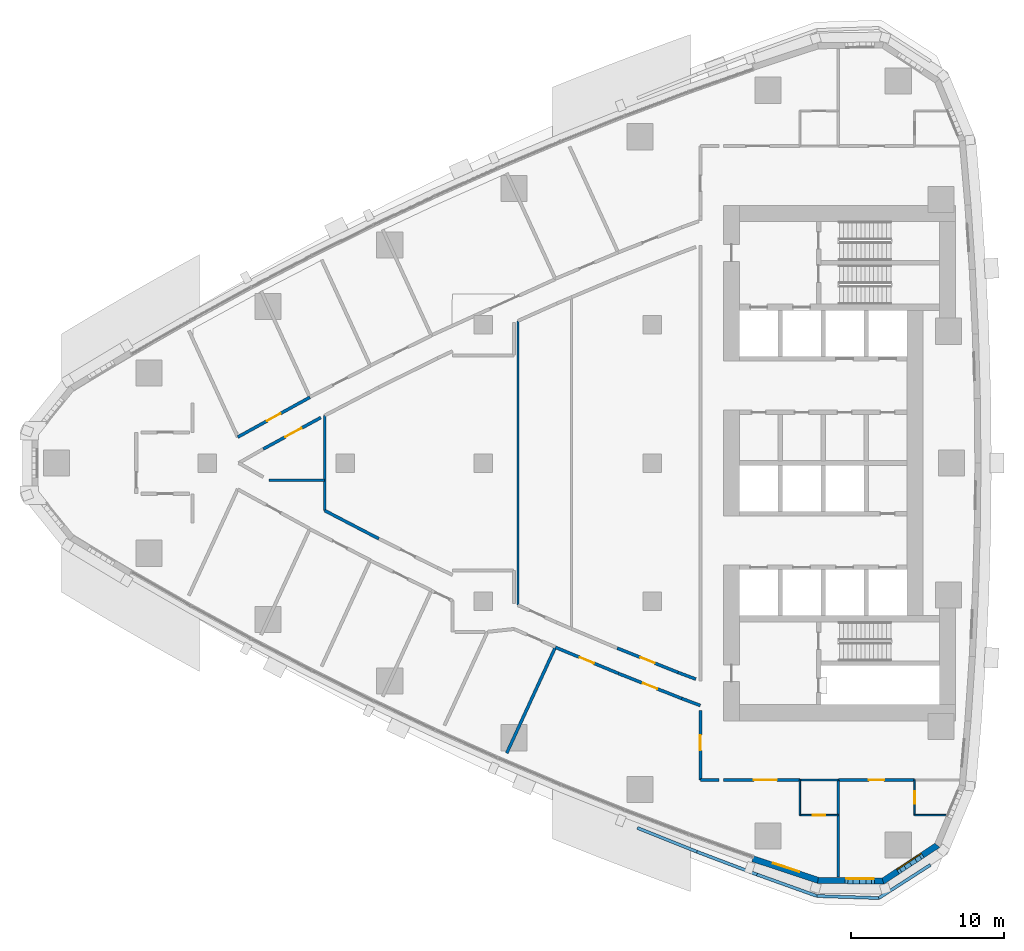
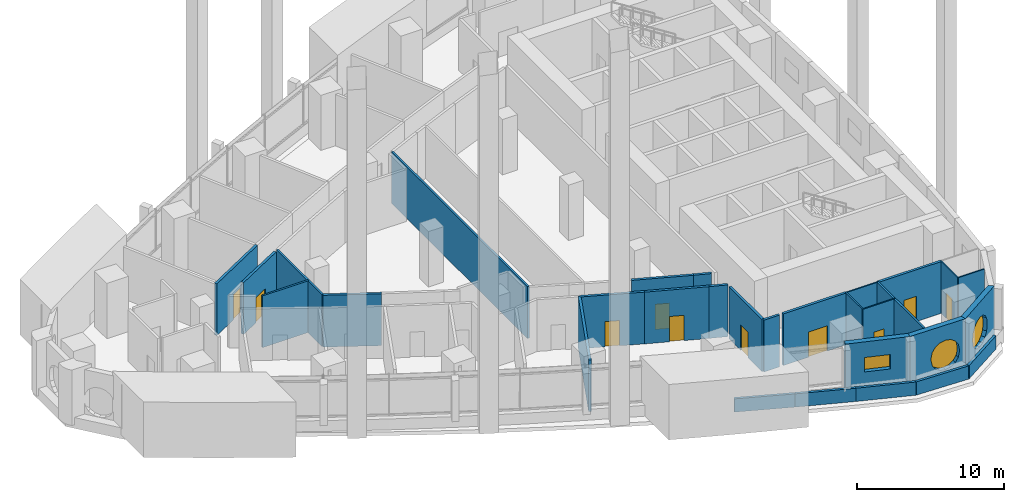
# One storey, part 8 of 17: 30 walls, 10 doors, 3 windows, 13 openings.
"""IFC4 building model written with IfcOpenShell, lengths in metres."""

from ifc_helpers import new_model, si_unit, direction, frame, frame_2d, origin, place, context, subcontext, project, spatial, polyline, rectangle, outline, extrude, material, layer, layer_set, type_object, element, fill, save


model = new_model("IFC4")

# Units and contexts
model_context = context("Model", 3, precision=1e-05, world=origin(), true_north=direction((0.0, 1.0)))
body_context = subcontext(model_context, "Body", "Model", "MODEL_VIEW")
ifc_project = project(units=[si_unit("LENGTHUNIT", "METRE"), si_unit("AREAUNIT", "SQUARE_METRE"), si_unit("VOLUMEUNIT", "CUBIC_METRE"), si_unit("PLANEANGLEUNIT", "RADIAN"), si_unit("MASSUNIT", "GRAM", prefix="KILO")], contexts=[model_context])

# Site, building, storey
site_placement = place(None, origin())
site = spatial("IfcSite", under=ifc_project, at=site_placement, CompositionType="ELEMENT")
building_placement = place(site_placement, origin())
building = spatial("IfcBuilding", under=site, at=building_placement, Name="Ostrand Prow Hotel Tower", CompositionType="ELEMENT")
storey_placement = place(building_placement, frame((0.0, 0.0, 80.300048828125)))
storey = spatial("IfcBuildingStorey", under=building, at=storey_placement, Name="L18", CompositionType="ELEMENT", Elevation=80.300048828125)

# Wall
ifc_material_1 = material(Name="Plasterboard partition")
ifc_layer_1 = layer(ifc_material_1, 0.10009765625)
ifc_layer_set_1 = layer_set([ifc_layer_1], Name="Plasterboard partition")
wall_type_1 = type_object("IfcWallType", Name="Partition 100 bathroom wall", PredefinedType="PARTITIONING", material=ifc_layer_set_1)
wall_1_placement = place(storey_placement, frame((54.630615234375, -22.949951171875, 0.0), z_axis=(0.0, 0.0, 1.0), x_axis=(0.0, 1.0, 0.0)))
element("IfcWall", 1, at=wall_1_placement, inside=storey, type_object=wall_type_1, Name="BATHROOM WALL", PredefinedType="PARTITIONING", context=body_context, shape_type="SweptSolid", body=[
    extrude(rectangle(XDim=2.300048828125, YDim=0.10009765625, at=frame_2d((1.14990234375, 0.0))), origin(), (0.0, 0.0, 1.0), 4.300048828125),
])

# Wall, opening, door
wall_2_placement = place(storey_placement, frame((57.130615234375, -22.949951171875, 0.0), z_axis=(0.0, 0.0, 1.0), x_axis=(-1.0, 0.0, 0.0)))
wall_2 = element("IfcWall", 2, at=wall_2_placement, inside=storey, type_object=wall_type_1, Name="BATHROOM WALL", PredefinedType="PARTITIONING", context=body_context, shape_type="SweptSolid", body=[
    extrude(rectangle(XDim=2.5, YDim=0.10009765625, at=frame_2d((1.25, 0.0))), origin(), (0.0, 0.0, 1.0), 4.300048828125),
])
opening_1_placement = place(wall_2_placement, frame((0.85009765625, 0.0, 0.0)))
opening_1 = element("IfcOpeningElement", 3, at=opening_1_placement, cuts=wall_2, Name="Opening D2", PredefinedType="OPENING", context=body_context, shape_type="SweptSolid", body=[
    extrude(rectangle(XDim=0.800048828125, YDim=2.10009765625, at=frame_2d((0.39990234375, 1.050048828125))), frame((0.0, 0.06005859375, 0.0), z_axis=(0.0, -1.0, 0.0), x_axis=(1.0, 0.0, 0.0)), (0.0, 0.0, 1.0), 0.1201171875),
])
ifc_material_2 = material(Name="Timber door leaf", Category="wood")
door_type_1 = type_object("IfcDoorType", Name="Bathroom door 800", OperationType="SINGLE_SWING_LEFT", PredefinedType="DOOR", material=ifc_material_2)
door_1_placement = place(opening_1_placement, origin())
door_1 = element("IfcDoor", 4, at=door_1_placement, inside=storey, type_object=door_type_1, Name="DOOR", OperationType="SINGLE_SWING_LEFT", OverallHeight=2.10009765625, OverallWidth=0.800048828125, PredefinedType="DOOR", context=body_context, shape_type="SweptSolid", body=[
    extrude(rectangle(XDim=0.800048828125, YDim=2.10009765625, at=frame_2d((0.39990234375, 1.050048828125))), frame((0.0, 0.02490234375, 0.0), z_axis=(0.0, -1.0, 0.0), x_axis=(1.0, 0.0, 0.0)), (0.0, 0.0, 1.0), 0.050048828125),
])
fill(opening_1, door_1)

# Wall
wall_3_placement = place(storey_placement, frame((64.160400390625, -22.949951171875, 0.0), z_axis=(0.0, 0.0, 1.0), x_axis=(-1.0, 0.0, 0.0)))
element("IfcWall", 5, at=wall_3_placement, inside=storey, type_object=wall_type_1, Name="BATHROOM WALL", PredefinedType="PARTITIONING", context=body_context, shape_type="SweptSolid", body=[
    extrude(rectangle(XDim=2.04931640625, YDim=0.10009765625, at=frame_2d((1.024658203125, 0.0))), origin(), (0.0, 0.0, 1.0), 4.300048828125),
])

# Wall, opening, door
wall_4_placement = place(storey_placement, frame((62.111083984375, -22.949951171875, 0.0), z_axis=(0.0, 0.0, 1.0), x_axis=(0.0, 1.0, 0.0)))
wall_4 = element("IfcWall", 6, at=wall_4_placement, inside=storey, type_object=wall_type_1, Name="BATHROOM WALL", PredefinedType="PARTITIONING", context=body_context, shape_type="SweptSolid", body=[
    extrude(rectangle(XDim=2.300048828125, YDim=0.10009765625, at=frame_2d((1.14990234375, 0.0))), origin(), (0.0, 0.0, 1.0), 4.300048828125),
])
opening_2_placement = place(wall_4_placement, frame((0.75, 0.0, 0.0)))
opening_2 = element("IfcOpeningElement", 7, at=opening_2_placement, cuts=wall_4, Name="Opening D2", PredefinedType="OPENING", context=body_context, shape_type="SweptSolid", body=[
    extrude(rectangle(XDim=0.800048828125, YDim=2.10009765625, at=frame_2d((0.39990234375, 1.050048828125))), frame((0.0, 0.06005859375, 0.0), z_axis=(0.0, -1.0, 0.0), x_axis=(1.0, 0.0, 0.0)), (0.0, 0.0, 1.0), 0.1201171875),
])
door_2_placement = place(opening_2_placement, origin())
door_2 = element("IfcDoor", 8, at=door_2_placement, inside=storey, type_object=door_type_1, Name="DOOR", OperationType="SINGLE_SWING_LEFT", OverallHeight=2.10009765625, OverallWidth=0.800048828125, PredefinedType="DOOR", context=body_context, shape_type="SweptSolid", body=[
    extrude(rectangle(XDim=0.800048828125, YDim=2.10009765625, at=frame_2d((0.39990234375, 1.050048828125))), frame((0.0, 0.02490234375, 0.0), z_axis=(0.0, -1.0, 0.0), x_axis=(1.0, 0.0, 0.0)), (0.0, 0.0, 1.0), 0.050048828125),
])
fill(opening_2, door_2)

# Walls
wall_5_placement = place(storey_placement, frame((54.630615234375, -20.655029296875, 0.0), z_axis=(0.0, 0.0, 1.0), x_axis=(1.0, 0.0, 0.0)))
element("IfcWall", 9, at=wall_5_placement, inside=storey, type_object=wall_type_1, Name="BATHROOM WALL", PredefinedType="PARTITIONING", context=body_context, shape_type="SweptSolid", body=[
    extrude(rectangle(XDim=2.5, YDim=0.10009765625, at=frame_2d((1.25, 0.0))), origin(), (0.0, 0.0, 1.0), 4.300048828125),
])
ifc_material_3 = material(Name="Plasterboard partition")
ifc_layer_2 = layer(ifc_material_3, 0.14990234375)
ifc_layer_set_2 = layer_set([ifc_layer_2], Name="Plasterboard partition")
wall_type_2 = type_object("IfcWallType", Name="Partition 150 room partition", PredefinedType="PARTITIONING", material=ifc_layer_set_2)
wall_6_placement = place(storey_placement, frame((57.130615234375, -26.97900390625, 0.0), z_axis=(0.0, 0.0, 1.0), x_axis=(0.0, 1.0, 0.0)))
element("IfcWall", 10, at=wall_6_placement, inside=storey, type_object=wall_type_2, Name="ROOM PARTITION", PredefinedType="PARTITIONING", context=body_context, shape_type="SweptSolid", body=[
    extrude(rectangle(XDim=6.3291015625, YDim=0.14990234375, at=frame_2d((3.16455078125, 0.0))), origin(), (0.0, 0.0, 1.0), 4.300048828125),
])
wall_7_placement = place(storey_placement, frame((20.0263671875, -1.1142578125, 0.0), z_axis=(0.0, 0.0, 1.0), x_axis=(1.0, 0.0, 0.0)))
element("IfcWall", 11, at=wall_7_placement, inside=storey, type_object=wall_type_2, Name="ROOM PARTITION", PredefinedType="PARTITIONING", context=body_context, shape_type="SweptSolid", body=[
    extrude(rectangle(XDim=3.6357421875, YDim=0.14990234375, at=frame_2d((1.81787109375, 0.0))), origin(), (0.0, 0.0, 1.0), 4.300048828125),
])
wall_8_placement = place(storey_placement, frame((23.662109375, -3.094970703125, 0.0), z_axis=(0.0, 0.0, 1.0), x_axis=(0.0, 1.0, 0.0)))
element("IfcWall", 12, at=wall_8_placement, inside=storey, type_object=wall_type_2, Name="ROOM PARTITION", PredefinedType="PARTITIONING", context=body_context, shape_type="SweptSolid", body=[
    extrude(rectangle(XDim=6.18994140625, YDim=0.14990234375, at=frame_2d((3.094970703125, 0.0))), origin(), (0.0, 0.0, 1.0), 4.300048828125),
])
wall_9_placement = place(storey_placement, frame((36.255859375, -9.26416015625, 0.0), z_axis=(0.0, 0.0, 1.0), x_axis=(0.0, 1.0, 0.0)))
element("IfcWall", 13, at=wall_9_placement, inside=storey, type_object=wall_type_2, Name="ROOM PARTITION", PredefinedType="PARTITIONING", context=body_context, shape_type="SweptSolid", body=[
    extrude(rectangle(XDim=18.5283203125, YDim=0.14990234375, at=frame_2d((9.26416015625, 0.0))), origin(), (0.0, 0.0, 1.0), 4.300048828125),
])

# Wall, opening, door
ifc_material_4 = material(Name="Plasterboard partition")
ifc_layer_3 = layer(ifc_material_4, 0.199951171875)
ifc_layer_set_3 = layer_set([ifc_layer_3], Name="Plasterboard partition")
wall_type_3 = type_object("IfcWallType", Name="Partition 200 corridor wall", PredefinedType="PARTITIONING", material=ifc_layer_set_3)
wall_10_placement = place(storey_placement, frame((18.0, 1.691650390625, 0.0), z_axis=(0.0, 0.0, 1.0), x_axis=(0.875548487611, 0.483130257634, 0.0)))
wall_10 = element("IfcWall", 14, at=wall_10_placement, inside=storey, type_object=wall_type_3, Name="CORRIDOR WALL", PredefinedType="PARTITIONING", context=body_context, shape_type="SweptSolid", body=[
    extrude(rectangle(XDim=5.36669921875, YDim=0.199951171875, at=frame_2d((2.683349609375, 0.0))), origin(), (0.0, 0.0, 1.0), 4.300048828125),
])
opening_3_placement = place(wall_10_placement, frame((2.183349609375, 0.0, 0.0)))
opening_3 = element("IfcOpeningElement", 15, at=opening_3_placement, cuts=wall_10, Name="Opening D1R", PredefinedType="OPENING", context=body_context, shape_type="SweptSolid", body=[
    extrude(rectangle(XDim=1.0, YDim=2.10009765625, at=frame_2d((0.5, 1.050048828125))), frame((0.0, 0.10986328125, 0.0), z_axis=(0.0, -1.0, 0.0), x_axis=(1.0, 0.0, 0.0)), (0.0, 0.0, 1.0), 0.219970703125),
])
ifc_material_5 = material(Name="Timber door leaf", Category="wood")
door_type_2 = type_object("IfcDoorType", Name="Guest room door 1000 right", OperationType="SINGLE_SWING_RIGHT", PredefinedType="DOOR", material=ifc_material_5)
door_3_placement = place(opening_3_placement, origin())
door_3 = element("IfcDoor", 16, at=door_3_placement, inside=storey, type_object=door_type_2, Name="DOOR", OperationType="SINGLE_SWING_RIGHT", OverallHeight=2.10009765625, OverallWidth=1.0, PredefinedType="DOOR", context=body_context, shape_type="SweptSolid", body=[
    extrude(rectangle(XDim=1.0, YDim=2.10009765625, at=frame_2d((0.5, 1.050048828125))), frame((0.0, 0.02490234375, 0.0), z_axis=(0.0, -1.0, 0.0), x_axis=(1.0, 0.0, 0.0)), (0.0, 0.0, 1.0), 0.050048828125),
])
fill(opening_3, door_3)

wall_11_placement = place(storey_placement, frame((38.696044921875, -12.0068359375, 0.0), z_axis=(0.0, 0.0, 1.0), x_axis=(0.923970612896, -0.382463470811, 0.0)))
wall_11 = element("IfcWall", 17, at=wall_11_placement, inside=storey, type_object=wall_type_3, Name="CORRIDOR WALL", PredefinedType="PARTITIONING", context=body_context, shape_type="SweptSolid", body=[
    extrude(rectangle(XDim=4.44091796875, YDim=0.199951171875, at=frame_2d((2.220458984375, 0.0))), origin(), (0.0, 0.0, 1.0), 4.300048828125),
])
opening_4_placement = place(wall_11_placement, frame((1.720458984375, 0.0, 0.0)))
opening_4 = element("IfcOpeningElement", 18, at=opening_4_placement, cuts=wall_11, Name="Opening D1", PredefinedType="OPENING", context=body_context, shape_type="SweptSolid", body=[
    extrude(rectangle(XDim=1.0, YDim=2.10009765625, at=frame_2d((0.5, 1.050048828125))), frame((0.0, 0.10986328125, 0.0), z_axis=(0.0, -1.0, 0.0), x_axis=(1.0, 0.0, 0.0)), (0.0, 0.0, 1.0), 0.219970703125),
])
ifc_material_6 = material(Name="Timber door leaf", Category="wood")
door_type_3 = type_object("IfcDoorType", Name="Guest room door 1000", OperationType="SINGLE_SWING_LEFT", PredefinedType="DOOR", material=ifc_material_6)
door_4_placement = place(opening_4_placement, origin())
door_4 = element("IfcDoor", 19, at=door_4_placement, inside=storey, type_object=door_type_3, Name="DOOR", OperationType="SINGLE_SWING_LEFT", OverallHeight=2.10009765625, OverallWidth=1.0, PredefinedType="DOOR", context=body_context, shape_type="SweptSolid", body=[
    extrude(rectangle(XDim=1.0, YDim=2.10009765625, at=frame_2d((0.5, 1.050048828125))), frame((0.0, 0.02490234375, 0.0), z_axis=(0.0, -1.0, 0.0), x_axis=(1.0, 0.0, 0.0)), (0.0, 0.0, 1.0), 0.050048828125),
])
fill(opening_4, door_4)

wall_12_placement = place(storey_placement, frame((19.6572265625, 0.912353515625, 0.0), z_axis=(0.0, 0.0, 1.0), x_axis=(0.877465075585, 0.479640533242, 0.0)))
wall_12 = element("IfcWall", 20, at=wall_12_placement, inside=storey, type_object=wall_type_3, Name="CORRIDOR WALL", PredefinedType="PARTITIONING", context=body_context, shape_type="SweptSolid", body=[
    extrude(rectangle(XDim=4.273193359375, YDim=0.199951171875, at=frame_2d((2.13671875, 0.0))), origin(), (0.0, 0.0, 1.0), 4.300048828125),
])
opening_5_placement = place(wall_12_placement, frame((1.636474609375, 0.0, 0.0)))
opening_5 = element("IfcOpeningElement", 21, at=opening_5_placement, cuts=wall_12, Name="Opening D12", PredefinedType="OPENING", context=body_context, shape_type="SweptSolid", body=[
    extrude(rectangle(XDim=1.199951171875, YDim=2.10009765625, at=frame_2d((0.60009765625, 1.050048828125))), frame((0.0, 0.10986328125, 0.0), z_axis=(0.0, -1.0, 0.0), x_axis=(1.0, 0.0, 0.0)), (0.0, 0.0, 1.0), 0.219970703125),
])
ifc_material_7 = material(Name="Steel service door", Category="steel")
door_type_4 = type_object("IfcDoorType", Name="Service door 1200", OperationType="SINGLE_SWING_RIGHT", PredefinedType="DOOR", material=ifc_material_7)
door_5_placement = place(opening_5_placement, origin())
door_5 = element("IfcDoor", 22, at=door_5_placement, inside=storey, type_object=door_type_4, Name="DOOR", OperationType="SINGLE_SWING_RIGHT", OverallHeight=2.10009765625, OverallWidth=1.199951171875, PredefinedType="DOOR", context=body_context, shape_type="SweptSolid", body=[
    extrude(rectangle(XDim=1.199951171875, YDim=2.10009765625, at=frame_2d((0.60009765625, 1.050048828125))), frame((0.0, 0.02490234375, 0.0), z_axis=(0.0, -1.0, 0.0), x_axis=(1.0, 0.0, 0.0)), (0.0, 0.0, 1.0), 0.050048828125),
])
fill(opening_5, door_5)

# Wall
wall_13_placement = place(storey_placement, frame((27.1962890625, -4.935791015625, 0.0), z_axis=(0.0, 0.0, 1.0), x_axis=(-0.886903625221, 0.461954499459, 0.0)))
element("IfcWall", 23, at=wall_13_placement, inside=storey, type_object=wall_type_3, Name="CORRIDOR WALL", PredefinedType="PARTITIONING", context=body_context, shape_type="SweptSolid", body=[
    extrude(rectangle(XDim=3.98486328125, YDim=0.199951171875, at=frame_2d((1.992431640625, 0.0))), origin(), (0.0, 0.0, 1.0), 4.300048828125),
])

# Wall, opening, door
wall_14_placement = place(storey_placement, frame((46.69580078125, -13.646728515625, 0.0), z_axis=(0.0, 0.0, 1.0), x_axis=(-0.928638161177, 0.370986745864, 0.0)))
wall_14 = element("IfcWall", 24, at=wall_14_placement, inside=storey, type_object=wall_type_3, Name="CORRIDOR WALL", PredefinedType="PARTITIONING", context=body_context, shape_type="SweptSolid", body=[
    extrude(rectangle(XDim=4.27294921875, YDim=0.199951171875, at=frame_2d((2.136474609375, 0.0))), origin(), (0.0, 0.0, 1.0), 4.300048828125),
])
opening_6_placement = place(wall_14_placement, frame((1.636474609375, 0.0, 0.0)))
opening_6 = element("IfcOpeningElement", 25, at=opening_6_placement, cuts=wall_14, Name="Opening D1", PredefinedType="OPENING", context=body_context, shape_type="SweptSolid", body=[
    extrude(rectangle(XDim=1.0, YDim=2.10009765625, at=frame_2d((0.5, 1.050048828125))), frame((0.0, 0.10986328125, 0.0), z_axis=(0.0, -1.0, 0.0), x_axis=(1.0, 0.0, 0.0)), (0.0, 0.0, 1.0), 0.219970703125),
])
door_6_placement = place(opening_6_placement, origin())
door_6 = element("IfcDoor", 26, at=door_6_placement, inside=storey, type_object=door_type_3, Name="DOOR", OperationType="SINGLE_SWING_LEFT", OverallHeight=2.10009765625, OverallWidth=1.0, PredefinedType="DOOR", context=body_context, shape_type="SweptSolid", body=[
    extrude(rectangle(XDim=1.0, YDim=2.10009765625, at=frame_2d((0.5, 1.050048828125))), frame((0.0, 0.02490234375, 0.0), z_axis=(0.0, -1.0, 0.0), x_axis=(1.0, 0.0, 0.0)), (0.0, 0.0, 1.0), 0.050048828125),
])
fill(opening_6, door_6)

wall_15_placement = place(storey_placement, frame((49.64990234375, -20.655029296875, 0.0), z_axis=(0.0, 0.0, 1.0), x_axis=(1.0, 0.0, 0.0)))
wall_15 = element("IfcWall", 27, at=wall_15_placement, inside=storey, type_object=wall_type_3, Name="CORRIDOR WALL", PredefinedType="PARTITIONING", context=body_context, shape_type="SweptSolid", body=[
    extrude(rectangle(XDim=4.9755859375, YDim=0.199951171875, at=frame_2d((2.48779296875, 0.0))), origin(), (0.0, 0.0, 1.0), 4.300048828125),
])
opening_7_placement = place(wall_15_placement, frame((1.98779296875, 0.0, 0.0)))
opening_7 = element("IfcOpeningElement", 28, at=opening_7_placement, cuts=wall_15, Name="Opening D15", PredefinedType="OPENING", context=body_context, shape_type="SweptSolid", body=[
    extrude(rectangle(XDim=1.5, YDim=2.10009765625, at=frame_2d((0.75, 1.050048828125))), frame((0.0, 0.10986328125, 0.0), z_axis=(0.0, -1.0, 0.0), x_axis=(1.0, 0.0, 0.0)), (0.0, 0.0, 1.0), 0.219970703125),
])
ifc_material_8 = material(Name="Timber door leaf", Category="wood")
door_type_5 = type_object("IfcDoorType", Name="Double door 1500", OperationType="DOUBLE_DOOR_SINGLE_SWING", PredefinedType="DOOR", material=ifc_material_8)
door_7_placement = place(opening_7_placement, origin())
door_7 = element("IfcDoor", 29, at=door_7_placement, inside=storey, type_object=door_type_5, Name="DOOR", OperationType="DOUBLE_DOOR_SINGLE_SWING", OverallHeight=2.10009765625, OverallWidth=1.5, PredefinedType="DOOR", context=body_context, shape_type="SweptSolid", body=[
    extrude(rectangle(XDim=1.5, YDim=2.10009765625, at=frame_2d((0.75, 1.050048828125))), frame((0.0, 0.02490234375, 0.0), z_axis=(0.0, -1.0, 0.0), x_axis=(1.0, 0.0, 0.0)), (0.0, 0.0, 1.0), 0.050048828125),
])
fill(opening_7, door_7)

wall_16_placement = place(storey_placement, frame((57.135498046875, -20.655029296875, 0.0), z_axis=(0.0, 0.0, 1.0), x_axis=(1.0, 0.0, 0.0)))
wall_16 = element("IfcWall", 30, at=wall_16_placement, inside=storey, type_object=wall_type_3, Name="CORRIDOR WALL", PredefinedType="PARTITIONING", context=body_context, shape_type="SweptSolid", body=[
    extrude(rectangle(XDim=4.970703125, YDim=0.199951171875, at=frame_2d((2.4853515625, 0.0))), origin(), (0.0, 0.0, 1.0), 4.300048828125),
])
opening_8_placement = place(wall_16_placement, frame((1.9853515625, 0.0, 0.0)))
opening_8 = element("IfcOpeningElement", 31, at=opening_8_placement, cuts=wall_16, Name="Opening D1", PredefinedType="OPENING", context=body_context, shape_type="SweptSolid", body=[
    extrude(rectangle(XDim=1.0, YDim=2.10009765625, at=frame_2d((0.5, 1.050048828125))), frame((0.0, 0.10986328125, 0.0), z_axis=(0.0, -1.0, 0.0), x_axis=(1.0, 0.0, 0.0)), (0.0, 0.0, 1.0), 0.219970703125),
])
door_8_placement = place(opening_8_placement, origin())
door_8 = element("IfcDoor", 32, at=door_8_placement, inside=storey, type_object=door_type_3, Name="DOOR", OperationType="SINGLE_SWING_LEFT", OverallHeight=2.10009765625, OverallWidth=1.0, PredefinedType="DOOR", context=body_context, shape_type="SweptSolid", body=[
    extrude(rectangle(XDim=1.0, YDim=2.10009765625, at=frame_2d((0.5, 1.050048828125))), frame((0.0, 0.02490234375, 0.0), z_axis=(0.0, -1.0, 0.0), x_axis=(1.0, 0.0, 0.0)), (0.0, 0.0, 1.0), 0.050048828125),
])
fill(opening_8, door_8)

wall_17_placement = place(storey_placement, frame((42.802001953125, -13.7119140625, 0.0), z_axis=(0.0, 0.0, 1.0), x_axis=(0.930042476208, -0.367452027412, 0.0)))
wall_17 = element("IfcWall", 33, at=wall_17_placement, inside=storey, type_object=wall_type_3, Name="CORRIDOR WALL", PredefinedType="PARTITIONING", context=body_context, shape_type="SweptSolid", body=[
    extrude(rectangle(XDim=4.43896484375, YDim=0.199951171875, at=frame_2d((2.219482421875, 0.0))), origin(), (0.0, 0.0, 1.0), 4.300048828125),
])
opening_9_placement = place(wall_17_placement, frame((1.719482421875, 0.0, 0.0)))
opening_9 = element("IfcOpeningElement", 34, at=opening_9_placement, cuts=wall_17, Name="Opening D1", PredefinedType="OPENING", context=body_context, shape_type="SweptSolid", body=[
    extrude(rectangle(XDim=1.0, YDim=2.10009765625, at=frame_2d((0.5, 1.050048828125))), frame((0.0, 0.10986328125, 0.0), z_axis=(0.0, -1.0, 0.0), x_axis=(1.0, 0.0, 0.0)), (0.0, 0.0, 1.0), 0.219970703125),
])
door_9_placement = place(opening_9_placement, origin())
door_9 = element("IfcDoor", 35, at=door_9_placement, inside=storey, type_object=door_type_3, Name="DOOR", OperationType="SINGLE_SWING_LEFT", OverallHeight=2.10009765625, OverallWidth=1.0, PredefinedType="DOOR", context=body_context, shape_type="SweptSolid", body=[
    extrude(rectangle(XDim=1.0, YDim=2.10009765625, at=frame_2d((0.5, 1.050048828125))), frame((0.0, 0.02490234375, 0.0), z_axis=(0.0, -1.0, 0.0), x_axis=(1.0, 0.0, 0.0)), (0.0, 0.0, 1.0), 0.050048828125),
])
fill(opening_9, door_9)

# Wall
wall_18_placement = place(storey_placement, frame((47.85498046875, -14.0830078125, 0.0), z_axis=(0.0, 0.0, 1.0), x_axis=(-0.935907269358, 0.352246480696, 0.0)))
element("IfcWall", 36, at=wall_18_placement, inside=storey, type_object=wall_type_3, Name="CORRIDOR WALL", PredefinedType="PARTITIONING", context=body_context, shape_type="SweptSolid", body=[
    extrude(rectangle(XDim=1.238525390625, YDim=0.199951171875, at=frame_2d((0.619140625, 0.0))), origin(), (0.0, 0.0, 1.0), 4.300048828125),
])

# Wall, opening, door
wall_19_placement = place(storey_placement, frame((48.145263671875, -16.11572265625, 0.0), z_axis=(0.0, 0.0, 1.0), x_axis=(5.3821313e-05, -0.999999998552, 0.0)))
wall_19 = element("IfcWall", 37, at=wall_19_placement, inside=storey, type_object=wall_type_3, Name="CORRIDOR WALL", PredefinedType="PARTITIONING", context=body_context, shape_type="SweptSolid", body=[
    extrude(rectangle(XDim=4.5361328125, YDim=0.199951171875, at=frame_2d((2.26806640625, 0.0))), origin(), (0.0, 0.0, 1.0), 4.300048828125),
])
opening_10_placement = place(wall_19_placement, frame((1.611083984375, 0.0, 0.0)))
opening_10 = element("IfcOpeningElement", 38, at=opening_10_placement, cuts=wall_19, Name="Opening D1R", PredefinedType="OPENING", context=body_context, shape_type="SweptSolid", body=[
    extrude(rectangle(XDim=1.0, YDim=2.10009765625, at=frame_2d((0.5, 1.050048828125))), frame((0.0, 0.10986328125, 0.0), z_axis=(0.0, -1.0, 0.0), x_axis=(1.0, 0.0, 0.0)), (0.0, 0.0, 1.0), 0.219970703125),
])
door_10_placement = place(opening_10_placement, origin())
door_10 = element("IfcDoor", 39, at=door_10_placement, inside=storey, type_object=door_type_2, Name="DOOR", OperationType="SINGLE_SWING_RIGHT", OverallHeight=2.10009765625, OverallWidth=1.0, PredefinedType="DOOR", context=body_context, shape_type="SweptSolid", body=[
    extrude(rectangle(XDim=1.0, YDim=2.10009765625, at=frame_2d((0.5, 1.050048828125))), frame((0.0, 0.02490234375, 0.0), z_axis=(0.0, -1.0, 0.0), x_axis=(1.0, 0.0, 0.0)), (0.0, 0.0, 1.0), 0.050048828125),
])
fill(opening_10, door_10)

# Walls
wall_20_placement = place(storey_placement, frame((46.930419921875, -15.343017578125, 0.0), z_axis=(0.0, 0.0, 1.0), x_axis=(0.935833600022, -0.352442155635, 0.0)))
element("IfcWall", 40, at=wall_20_placement, inside=storey, type_object=wall_type_3, Name="CORRIDOR WALL", PredefinedType="PARTITIONING", context=body_context, shape_type="SweptSolid", body=[
    extrude(rectangle(XDim=1.298095703125, YDim=0.199951171875, at=frame_2d((0.64892578125, 0.0))), origin(), (0.0, 0.0, 1.0), 4.300048828125),
])
wall_21_placement = place(storey_placement, frame((48.1455078125, -20.65185546875, 0.0), z_axis=(0.0, 0.0, 1.0), x_axis=(0.999996595549, -0.002609384934, 0.0)))
element("IfcWall", 41, at=wall_21_placement, inside=storey, type_object=wall_type_3, Name="CORRIDOR WALL", PredefinedType="PARTITIONING", context=body_context, shape_type="SweptSolid", body=[
    extrude(rectangle(XDim=1.21630859375, YDim=0.199951171875, at=frame_2d((0.608154296875, 0.0))), origin(), (0.0, 0.0, 1.0), 4.300048828125),
])
ifc_material_9 = material(Name="Plasterboard partition")
ifc_layer_4 = layer(ifc_material_9, 0.199951171875)
ifc_layer_set_4 = layer_set([ifc_layer_4], Name="Plasterboard partition")
wall_type_4 = type_object("IfcWallType", Name="Partition 200 key partition", PredefinedType="PARTITIONING", material=ifc_layer_set_4)
wall_22_placement = place(storey_placement, frame((35.530517578125, -18.89794921875, 0.0), z_axis=(0.0, 0.0, 1.0), x_axis=(0.417416334044, 0.908715359215, 0.0)))
element("IfcWall", 42, at=wall_22_placement, inside=storey, type_object=wall_type_4, Name="KEY PARTITION", PredefinedType="PARTITIONING", context=body_context, shape_type="SweptSolid", body=[
    extrude(rectangle(XDim=7.603515625, YDim=0.199951171875, at=frame_2d((3.8017578125, 0.0))), origin(), (0.0, 0.0, 1.0), 4.300048828125),
])
ifc_material_10 = material(Name="Precast concrete C40/50", Category="concrete")
ifc_layer_5 = layer(ifc_material_10, 0.199951171875)
ifc_layer_set_5 = layer_set([ifc_layer_5], Name="Precast concrete C40/50")
wall_type_5 = type_object("IfcWallType", Name="Roof parapet 200 mm precast concrete", PredefinedType="PARAPET", material=ifc_layer_set_5)
for number, where, z_axis, x_axis, name in (
    (43, (44.038330078125, -23.775390625, 0.0), (0.0, 0.0, 1.0), (0.928295561605, -0.371843179719, 0.0), "Roof parapet LPR0 2.8"),
    (44, (47.923828125, -25.331787109375, 0.0), (0.0, 0.0, 1.0), (0.934958169598, -0.354757975388, 0.0), "Roof parapet LPR0 2.9"),
):
    element("IfcWall", number, at=place(storey_placement, frame(where, z_axis=z_axis, x_axis=x_axis)), inside=storey, type_object=wall_type_5, Name=name, PredefinedType="PARAPET", context=body_context, shape_type="SweptSolid", body=[
        extrude(rectangle(XDim=4.185546875, YDim=0.199951171875, at=frame_2d((2.0927734375, 0.0))), origin(), (0.0, 0.0, 1.0), 1.099853515625),
    ])
wall_23_placement = place(storey_placement, frame((51.837158203125, -26.816650390625, 0.0), z_axis=(0.0, 0.0, 1.0), x_axis=(0.941329520921, -0.337488863584, 0.0)))
element("IfcWall", 45, at=wall_23_placement, inside=storey, type_object=wall_type_5, Name="Roof parapet LPR0 2.10", PredefinedType="PARAPET", context=body_context, shape_type="SweptSolid", body=[
    extrude(rectangle(XDim=4.145751953125, YDim=0.199951171875, at=frame_2d((2.07275390625, 0.0))), origin(), (0.0, 0.0, 1.0), 1.099853515625),
])
wall_24_placement = place(storey_placement, frame((55.73974609375, -28.2158203125, 0.0), z_axis=(0.0, 0.0, 1.0), x_axis=(0.999463656479, -0.03274750948, 0.0)))
element("IfcWall", 46, at=wall_24_placement, inside=storey, type_object=wall_type_5, Name="Roof parapet LPR0 2.11", PredefinedType="PARAPET", context=body_context, shape_type="SweptSolid", body=[
    extrude(rectangle(XDim=4.040771484375, YDim=0.199951171875, at=frame_2d((2.0205078125, 0.0))), origin(), (0.0, 0.0, 1.0), 1.099853515625),
])
wall_25_placement = place(storey_placement, frame((59.7783203125, -28.34814453125, 0.0), z_axis=(0.0, 0.0, 1.0), x_axis=(0.84093838731, 0.5411308795, 0.0)))
element("IfcWall", 47, at=wall_25_placement, inside=storey, type_object=wall_type_5, Name="Roof parapet LPR0 2.12", PredefinedType="PARAPET", context=body_context, shape_type="SweptSolid", body=[
    extrude(rectangle(XDim=3.999267578125, YDim=0.199951171875, at=frame_2d((1.99951171875, 0.0))), origin(), (0.0, 0.0, 1.0), 1.099853515625),
])

# Wall, opening, window
ifc_material_11 = material(Name="Precast concrete C40/50", Category="concrete")
ifc_layer_6 = layer(ifc_material_11, 0.39990234375)
ifc_layer_set_6 = layer_set([ifc_layer_6], Name="Precast concrete C40/50")
wall_type_6 = type_object("IfcWallType", Name="Stone-faced precast wall 400 mm", PredefinedType="NOTDEFINED", material=ifc_layer_set_6)
wall_26_placement = place(storey_placement, frame((51.56884765625, -25.786865234375, 0.0), z_axis=(0.0, 0.0, 1.0), x_axis=(0.94925004851, -0.314522408429, 0.0)))
wall_26 = element("IfcWall", 48, at=wall_26_placement, inside=storey, type_object=wall_type_6, Name="Stone-faced wall back 1", PredefinedType="NOTDEFINED", context=body_context, shape_type="SweptSolid", body=[
    extrude(outline(polyline([(0.0, -0.199951171875), (4.4990234375, -0.199951171875), (4.43701171875, 0.199951171875), (0.0, 0.199951171875), (0.0, -0.199951171875)])), origin(), (0.0, 0.0, 1.0), 4.300048828125),
])
opening_11_placement = place(wall_26_placement, frame((1.333984375, 0.0, 1.800048828125)))
opening_11 = element("IfcOpeningElement", 49, at=opening_11_placement, cuts=wall_26, Name="Opening WC1", PredefinedType="OPENING", context=body_context, shape_type="SweptSolid", body=[
    extrude(rectangle(XDim=1.800048828125, YDim=1.199951171875, at=frame_2d((0.89990234375, 0.60009765625))), frame((0.0, 0.2099609375, 0.0), z_axis=(0.0, -1.0, 0.0), x_axis=(1.0, 0.0, 0.0)), (0.0, 0.0, 1.0), 0.419921875),
])
ifc_material_12 = material(Name="Insulated glass in bronze frame", Category="glass")
window_type_1 = type_object("IfcWindowType", Name="Sky lobby clerestory window 1800x1200", PartitioningType="SINGLE_PANEL", PredefinedType="WINDOW", material=ifc_material_12)
window_1_placement = place(opening_11_placement, origin())
window_1 = element("IfcWindow", 50, at=window_1_placement, inside=storey, type_object=window_type_1, Name="Window back 1.1", OverallHeight=1.199951171875, OverallWidth=1.800048828125, PartitioningType="SINGLE_PANEL", PredefinedType="WINDOW", context=body_context, shape_type="SweptSolid", body=[
    extrude(rectangle(XDim=1.800048828125, YDim=1.199951171875, at=frame_2d((0.89990234375, 0.60009765625))), frame((0.0, 0.169921875, 0.0), z_axis=(0.0, -1.0, 0.0), x_axis=(1.0, 0.0, 0.0)), (0.0, 0.0, 1.0), 0.06005859375),
])
fill(opening_11, window_1)

wall_27_placement = place(storey_placement, frame((55.81005859375, -27.192138671875, 0.0), z_axis=(0.0, 0.0, 1.0), x_axis=(0.999919718849, -0.012671063772, 0.0)))
wall_27 = element("IfcWall", 51, at=wall_27_placement, inside=storey, type_object=wall_type_6, Name="Stone-faced wall back 2", PredefinedType="NOTDEFINED", context=body_context, shape_type="SweptSolid", body=[
    extrude(outline(polyline([(-0.031005859375, -0.199951171875), (4.300048828125, -0.199951171875), (4.177490234375, 0.199951171875), (0.031005859375, 0.199951171875), (-0.031005859375, -0.199951171875)])), origin(), (0.0, 0.0, 1.0), 4.300048828125),
])
opening_12_placement = place(wall_27_placement, frame((1.620849609375, 0.0, 0.60009765625)))
opening_12 = element("IfcOpeningElement", 52, at=opening_12_placement, cuts=wall_27, Name="Opening WP2", PredefinedType="OPENING", context=body_context, shape_type="SweptSolid", body=[
    extrude(outline(polyline([(0.0, 1.35009765625), (0.083740234375, 1.77099609375), (0.322265625, 2.127685546875), (0.678955078125, 2.3662109375), (1.10009765625, 2.449951171875), (1.52099609375, 2.3662109375), (1.877685546875, 2.127685546875), (2.1162109375, 1.77099609375), (2.199951171875, 1.35009765625), (2.199951171875, 1.10009765625), (2.1162109375, 0.678955078125), (1.877685546875, 0.322265625), (1.52099609375, 0.083740234375), (1.10009765625, 0.0), (0.678955078125, 0.083740234375), (0.322265625, 0.322265625), (0.083740234375, 0.678955078125), (0.0, 1.099853515625), (0.0, 1.35009765625)])), frame((0.0, 0.2099609375, 0.0), z_axis=(0.0, -1.0, 0.0), x_axis=(1.0, 0.0, 0.0)), (0.0, 0.0, 1.0), 0.419921875),
])
ifc_material_13 = material(Name="Insulated glass in bronze frame", Category="glass")
window_type_2 = type_object("IfcWindowType", Name="Round-ended prow lounge window 2200x2450", PartitioningType="SINGLE_PANEL", PredefinedType="WINDOW", material=ifc_material_13)
window_2_placement = place(opening_12_placement, origin())
window_2 = element("IfcWindow", 53, at=window_2_placement, inside=storey, type_object=window_type_2, Name="Window back 2.1", OverallHeight=2.449951171875, OverallWidth=2.199951171875, PartitioningType="SINGLE_PANEL", PredefinedType="WINDOW", context=body_context, shape_type="SweptSolid", body=[
    extrude(outline(polyline([(0.0, 1.35009765625), (0.083740234375, 1.77099609375), (0.322265625, 2.127685546875), (0.678955078125, 2.3662109375), (1.10009765625, 2.449951171875), (1.52099609375, 2.3662109375), (1.877685546875, 2.127685546875), (2.1162109375, 1.77099609375), (2.199951171875, 1.35009765625), (2.199951171875, 1.10009765625), (2.1162109375, 0.678955078125), (1.877685546875, 0.322265625), (1.52099609375, 0.083740234375), (1.10009765625, 0.0), (0.678955078125, 0.083740234375), (0.322265625, 0.322265625), (0.083740234375, 0.678955078125), (0.0, 1.099853515625), (0.0, 1.35009765625)])), frame((0.0, 0.169921875, 0.0), z_axis=(0.0, -1.0, 0.0), x_axis=(1.0, 0.0, 0.0)), (0.0, 0.0, 1.0), 0.06005859375),
])
fill(opening_12, window_2)

wall_28_placement = place(storey_placement, frame((60.048583984375, -27.245849609375, 0.0), z_axis=(0.0, 0.0, 1.0), x_axis=(0.835340523653, 0.549732852887, 0.0)))
wall_28 = element("IfcWall", 54, at=wall_28_placement, inside=storey, type_object=wall_type_6, Name="Stone-faced wall back 3", PredefinedType="NOTDEFINED", context=body_context, shape_type="SweptSolid", body=[
    extrude(outline(polyline([(-0.061279296875, -0.199951171875), (4.30029296875, -0.199951171875), (4.177734375, 0.199951171875), (0.061279296875, 0.199951171875), (-0.061279296875, -0.199951171875)])), origin(), (0.0, 0.0, 1.0), 4.300048828125),
])
opening_13_placement = place(wall_28_placement, frame((1.01953125, 0.0, 0.60009765625)))
opening_13 = element("IfcOpeningElement", 55, at=opening_13_placement, cuts=wall_28, Name="Opening WP2", PredefinedType="OPENING", context=body_context, shape_type="SweptSolid", body=[
    extrude(outline(polyline([(0.0, 1.35009765625), (0.083740234375, 1.77099609375), (0.322265625, 2.127685546875), (0.678955078125, 2.3662109375), (1.10009765625, 2.449951171875), (1.52099609375, 2.3662109375), (1.877685546875, 2.127685546875), (2.1162109375, 1.77099609375), (2.199951171875, 1.35009765625), (2.199951171875, 1.10009765625), (2.1162109375, 0.678955078125), (1.877685546875, 0.322265625), (1.52099609375, 0.083740234375), (1.10009765625, 0.0), (0.678955078125, 0.083740234375), (0.322265625, 0.322265625), (0.083740234375, 0.678955078125), (0.0, 1.099853515625), (0.0, 1.35009765625)])), frame((0.0, 0.2099609375, 0.0), z_axis=(0.0, -1.0, 0.0), x_axis=(1.0, 0.0, 0.0)), (0.0, 0.0, 1.0), 0.419921875),
])
window_3_placement = place(opening_13_placement, origin())
window_3 = element("IfcWindow", 56, at=window_3_placement, inside=storey, type_object=window_type_2, Name="Window back 3.1", OverallHeight=2.449951171875, OverallWidth=2.199951171875, PartitioningType="SINGLE_PANEL", PredefinedType="WINDOW", context=body_context, shape_type="SweptSolid", body=[
    extrude(outline(polyline([(0.0, 1.35009765625), (0.083740234375, 1.77099609375), (0.322265625, 2.127685546875), (0.678955078125, 2.3662109375), (1.10009765625, 2.449951171875), (1.52099609375, 2.3662109375), (1.877685546875, 2.127685546875), (2.1162109375, 1.77099609375), (2.199951171875, 1.35009765625), (2.199951171875, 1.10009765625), (2.1162109375, 0.678955078125), (1.877685546875, 0.322265625), (1.52099609375, 0.083740234375), (1.10009765625, 0.0), (0.678955078125, 0.083740234375), (0.322265625, 0.322265625), (0.083740234375, 0.678955078125), (0.0, 1.099853515625), (0.0, 1.35009765625)])), frame((0.0, 0.169921875, 0.0), z_axis=(0.0, -1.0, 0.0), x_axis=(1.0, 0.0, 0.0)), (0.0, 0.0, 1.0), 0.06005859375),
])
fill(opening_13, window_3)

save(model, "model.ifc")
